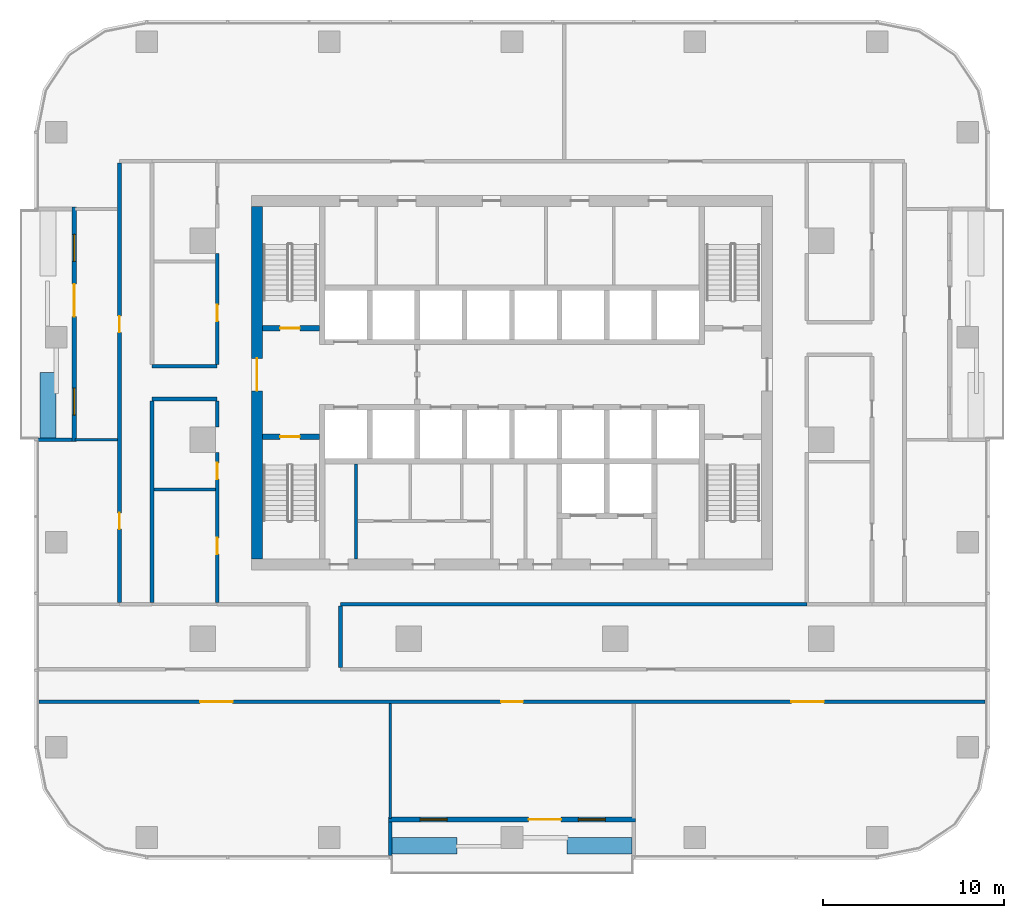
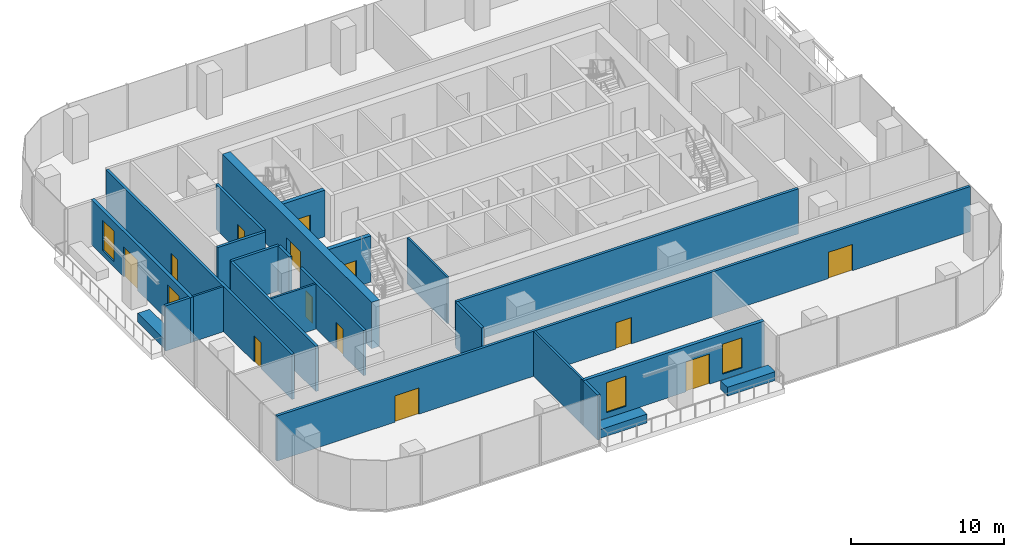
# One storey, part 7 of 14: 24 walls, 13 doors, 4 windows, 17 openings.
"""IFC4 building model written with IfcOpenShell, lengths in metres."""

from ifc_helpers import new_model, si_unit, direction, frame, frame_2d, origin, place, context, subcontext, project, spatial, rectangle, extrude, material, layer, layer_set, type_object, element, fill, save


model = new_model("IFC4")

# Units and contexts
model_context = context("Model", 3, precision=1e-05, world=origin(), true_north=direction((0.0, 1.0)))
body_context = subcontext(model_context, "Body", "Model", "MODEL_VIEW")
ifc_project = project(units=[si_unit("LENGTHUNIT", "METRE"), si_unit("AREAUNIT", "SQUARE_METRE"), si_unit("VOLUMEUNIT", "CUBIC_METRE"), si_unit("PLANEANGLEUNIT", "RADIAN"), si_unit("MASSUNIT", "GRAM", prefix="KILO")], contexts=[model_context])

# Site, building, storey
site_placement = place(None, origin())
site = spatial("IfcSite", under=ifc_project, at=site_placement, CompositionType="ELEMENT")
building_placement = place(site_placement, origin())
building = spatial("IfcBuilding", under=site, at=building_placement, Name="Mopane Tessera Tower", CompositionType="ELEMENT")
storey_placement = place(building_placement, frame((0.0, 0.0, 165.0)))
storey = spatial("IfcBuildingStorey", under=building, at=storey_placement, Name="L33", CompositionType="ELEMENT", Elevation=165.0)

# Wall
ifc_material_1 = material(Name="Fire-rated gypsum board partition")
ifc_layer_1 = layer(ifc_material_1, 0.14990234375)
ifc_layer_set_1 = layer_set([ifc_layer_1], Name="Fire-rated gypsum board partition")
wall_type_1 = type_object("IfcWallType", Name="Core room partition 150 mm", PredefinedType="PARTITIONING", material=ifc_layer_set_1)
wall_1_placement = place(storey_placement, frame((-8.625, -6.60009765625, 0.0), z_axis=(0.0, 0.0, 1.0), x_axis=(0.0, 1.0, 0.0)))
element("IfcWall", 1, at=wall_1_placement, inside=storey, type_object=wall_type_1, Name="L33 Room partition", PredefinedType="PARTITIONING", context=body_context, shape_type="SweptSolid", body=[
    extrude(rectangle(XDim=5.25, YDim=0.14990234375, at=frame_2d((2.625, 0.0))), origin(), (0.0, 0.0, 1.0), 3.699951171875),
])

# Wall, opening, door
ifc_material_2 = material(Name="Concrete C70/85", Category="concrete")
ifc_layer_2 = layer(ifc_material_2, 0.60009765625)
ifc_layer_set_2 = layer_set([ifc_layer_2], Name="Concrete C70/85")
wall_type_2 = type_object("IfcWallType", Name="Core shear wall 600 mm", PredefinedType="SHEAR", material=ifc_layer_set_2)
wall_2_placement = place(storey_placement, frame((-14.10009765625, -6.60009765625, 0.0), z_axis=(0.0, 0.0, 1.0), x_axis=(0.0, 1.0, 0.0)))
wall_2 = element("IfcWall", 2, at=wall_2_placement, inside=storey, type_object=wall_type_2, Name="L33 Core wall west", PredefinedType="SHEAR", context=body_context, shape_type="SweptSolid", body=[
    extrude(rectangle(XDim=19.5, YDim=0.60009765625, at=frame_2d((9.75, 0.0))), origin(), (0.0, 0.0, 1.0), 3.699951171875),
])
opening_1_placement = place(wall_2_placement, frame((9.300048828125, 0.0, 0.0)))
opening_1 = element("IfcOpeningElement", 3, at=opening_1_placement, cuts=wall_2, Name="Opening SD2", PredefinedType="OPENING", context=body_context, shape_type="SweptSolid", body=[
    extrude(rectangle(XDim=1.800048828125, YDim=2.10009765625, at=frame_2d((0.89990234375, 1.050048828125))), frame((0.0, 0.31201171875, 0.0), z_axis=(0.0, -1.0, 0.0), x_axis=(1.0, 0.0, 0.0)), (0.0, 0.0, 1.0), 0.6240234375),
])
ifc_material_3 = material(Name="Steel fire door", Category="steel")
door_type_1 = type_object("IfcDoorType", Name="Core entrance double door 1800 x 2100", OperationType="DOUBLE_DOOR_SINGLE_SWING", PredefinedType="DOOR", material=ifc_material_3)
door_1_placement = place(opening_1_placement, origin())
door_1 = element("IfcDoor", 4, at=door_1_placement, inside=storey, type_object=door_type_1, Name="L33 Core entrance door west", OperationType="DOUBLE_DOOR_SINGLE_SWING", OverallHeight=2.10009765625, OverallWidth=1.800048828125, PredefinedType="DOOR", context=body_context, shape_type="SweptSolid", body=[
    extrude(rectangle(XDim=1.800048828125, YDim=2.10009765625, at=frame_2d((0.89990234375, 1.050048828125))), frame((0.0, 0.02490234375, 0.0), z_axis=(0.0, -1.0, 0.0), x_axis=(1.0, 0.0, 0.0)), (0.0, 0.0, 1.0), 0.050048828125),
])
fill(opening_1, door_1)

# Wall, openings, doors
ifc_material_4 = material(Name="Gypsum board on steel studs, two layers each face, mineral wool infill", Category="steel")
ifc_layer_3 = layer(ifc_material_4, 0.199951171875)
ifc_layer_set_3 = layer_set([ifc_layer_3], Name="Gypsum board on steel studs, two layers each face, mineral wool infill")
wall_type_3 = type_object("IfcWallType", Name="Gypsum board corridor wall 200, rated EI 60", PredefinedType="PARTITIONING", material=ifc_layer_set_3)
wall_3_placement = place(storey_placement, frame((-26.14990234375, -14.5, 0.0), z_axis=(0.0, 0.0, 1.0), x_axis=(1.0, 0.0, 0.0)))
wall_3 = element("IfcWall", 5, at=wall_3_placement, inside=storey, type_object=wall_type_3, Name="Partition L33:000", PredefinedType="PARTITIONING", context=body_context, shape_type="SweptSolid", body=[
    extrude(rectangle(XDim=52.2998046875, YDim=0.199951171875, at=frame_2d((26.14990234375, 0.0))), origin(), (0.0, 0.0, 1.0), 3.60009765625),
])
opening_2_placement = place(wall_3_placement, frame((25.550048828125, 0.0, 0.0)))
opening_2 = element("IfcOpeningElement", 6, at=opening_2_placement, cuts=wall_3, Name="Opening L33-02", PredefinedType="OPENING", context=body_context, shape_type="SweptSolid", body=[
    extrude(rectangle(XDim=1.199951171875, YDim=2.10009765625, at=frame_2d((0.60009765625, 1.050048828125))), frame((0.0, 0.112060546875, 0.0), z_axis=(0.0, -1.0, 0.0), x_axis=(1.0, 0.0, 0.0)), (0.0, 0.0, 1.0), 0.223876953125),
])
opening_3_placement = place(wall_3_placement, frame((8.907470703125, 0.0, 0.0)))
opening_3 = element("IfcOpeningElement", 7, at=opening_3_placement, cuts=wall_3, Name="Opening L33-15", PredefinedType="OPENING", context=body_context, shape_type="SweptSolid", body=[
    extrude(rectangle(XDim=1.800048828125, YDim=2.10009765625, at=frame_2d((0.89990234375, 1.050048828125))), frame((0.0, 0.112060546875, 0.0), z_axis=(0.0, -1.0, 0.0), x_axis=(1.0, 0.0, 0.0)), (0.0, 0.0, 1.0), 0.223876953125),
])
opening_4_placement = place(wall_3_placement, frame((41.592529296875, 0.0, 0.0)))
opening_4 = element("IfcOpeningElement", 8, at=opening_4_placement, cuts=wall_3, Name="Opening L33-18", PredefinedType="OPENING", context=body_context, shape_type="SweptSolid", body=[
    extrude(rectangle(XDim=1.800048828125, YDim=2.10009765625, at=frame_2d((0.89990234375, 1.050048828125))), frame((0.0, 0.112060546875, 0.0), z_axis=(0.0, -1.0, 0.0), x_axis=(1.0, 0.0, 0.0)), (0.0, 0.0, 1.0), 0.223876953125),
])
ifc_material_5 = material(Name="Timber veneered steel-framed fire door", Category="steel")
door_type_2 = type_object("IfcDoorType", Name="Fire door FD60 1200 x 2100", OperationType="SINGLE_SWING_LEFT", PredefinedType="DOOR", material=ifc_material_5)
door_2_placement = place(opening_2_placement, origin())
door_2 = element("IfcDoor", 9, at=door_2_placement, inside=storey, type_object=door_type_2, Name="Door L33-02", ObjectType="D15A", OperationType="SINGLE_SWING_RIGHT", OverallHeight=2.10009765625, OverallWidth=1.199951171875, PredefinedType="DOOR", context=body_context, shape_type="SweptSolid", body=[
    extrude(rectangle(XDim=1.199951171875, YDim=2.10009765625, at=frame_2d((0.60009765625, 1.050048828125))), frame((0.0, 0.02490234375, 0.0), z_axis=(0.0, -1.0, 0.0), x_axis=(1.0, 0.0, 0.0)), (0.0, 0.0, 1.0), 0.050048828125),
])
fill(opening_2, door_2)
ifc_material_6 = material(Name="Timber veneered steel-framed fire door", Category="steel")
door_type_3 = type_object("IfcDoorType", Name="Fire door pair FD60 1800 x 2100", OperationType="DOUBLE_DOOR_SINGLE_SWING", PredefinedType="DOOR", material=ifc_material_6)
door_3_placement = place(opening_3_placement, origin())
door_3 = element("IfcDoor", 10, at=door_3_placement, inside=storey, type_object=door_type_3, Name="Door L33-15", ObjectType="D20A", OperationType="DOUBLE_DOOR_SINGLE_SWING", OverallHeight=2.10009765625, OverallWidth=1.800048828125, PredefinedType="DOOR", context=body_context, shape_type="SweptSolid", body=[
    extrude(rectangle(XDim=1.800048828125, YDim=2.10009765625, at=frame_2d((0.89990234375, 1.050048828125))), frame((0.0, 0.02490234375, 0.0), z_axis=(0.0, -1.0, 0.0), x_axis=(1.0, 0.0, 0.0)), (0.0, 0.0, 1.0), 0.050048828125),
])
fill(opening_3, door_3)
door_4_placement = place(opening_4_placement, origin())
door_4 = element("IfcDoor", 11, at=door_4_placement, inside=storey, type_object=door_type_3, Name="Door L33-18", ObjectType="D20A", OperationType="DOUBLE_DOOR_SINGLE_SWING", OverallHeight=2.10009765625, OverallWidth=1.800048828125, PredefinedType="DOOR", context=body_context, shape_type="SweptSolid", body=[
    extrude(rectangle(XDim=1.800048828125, YDim=2.10009765625, at=frame_2d((0.89990234375, 1.050048828125))), frame((0.0, 0.02490234375, 0.0), z_axis=(0.0, -1.0, 0.0), x_axis=(1.0, 0.0, 0.0)), (0.0, 0.0, 1.0), 0.050048828125),
])
fill(opening_4, door_4)

# Walls
wall_4_placement = place(storey_placement, frame((-9.47998046875, -9.10009765625, 0.0), z_axis=(0.0, 0.0, 1.0), x_axis=(1.0, 0.0, 0.0)))
element("IfcWall", 12, at=wall_4_placement, inside=storey, type_object=wall_type_3, Name="Partition L33:009", PredefinedType="PARTITIONING", context=body_context, shape_type="SweptSolid", body=[
    extrude(rectangle(XDim=25.780029296875, YDim=0.199951171875, at=frame_2d((12.89013671875, 0.0))), origin(), (0.0, 0.0, 1.0), 3.60009765625),
])
for number, where, z_axis, x_axis, name in (
    (13, (-19.89990234375, 2.25, 0.0), (0.0, 0.0, 1.0), (1.0, 0.0, 0.0), "Partition L33:015"),
    (14, (-19.89990234375, 4.050048828125, 0.0), (0.0, 0.0, 1.0), (1.0, 0.0, 0.0), "Partition L33:016"),
):
    element("IfcWall", number, at=place(storey_placement, frame(where, z_axis=z_axis, x_axis=x_axis)), inside=storey, type_object=wall_type_3, Name=name, PredefinedType="PARTITIONING", context=body_context, shape_type="SweptSolid", body=[
        extrude(rectangle(XDim=3.599853515625, YDim=0.199951171875, at=frame_2d((1.7998046875, 0.0))), origin(), (0.0, 0.0, 1.0), 3.60009765625),
    ])

# Wall, openings, doors
wall_5_placement = place(storey_placement, frame((-21.699951171875, -9.0, 0.0), z_axis=(0.0, 0.0, 1.0), x_axis=(0.0, 1.0, 0.0)))
wall_5 = element("IfcWall", 15, at=wall_5_placement, inside=storey, type_object=wall_type_3, Name="Partition L33:027", PredefinedType="PARTITIONING", context=body_context, shape_type="SweptSolid", body=[
    extrude(rectangle(XDim=24.300048828125, YDim=0.199951171875, at=frame_2d((12.14990234375, 0.0))), origin(), (0.0, 0.0, 1.0), 3.60009765625),
])
opening_5_placement = place(wall_5_placement, frame((14.925048828125, 0.0, 0.0)))
opening_5 = element("IfcOpeningElement", 16, at=opening_5_placement, cuts=wall_5, Name="Opening L33-01", PredefinedType="OPENING", context=body_context, shape_type="SweptSolid", body=[
    extrude(rectangle(XDim=0.89990234375, YDim=2.10009765625, at=frame_2d((0.449951171875, 1.050048828125))), frame((0.0, 0.112060546875, 0.0), z_axis=(0.0, -1.0, 0.0), x_axis=(1.0, 0.0, 0.0)), (0.0, 0.0, 1.0), 0.223876953125),
])
opening_6_placement = place(wall_5_placement, frame((4.050048828125, 0.0, 0.0)))
opening_6 = element("IfcOpeningElement", 17, at=opening_6_placement, cuts=wall_5, Name="Opening L33-13", PredefinedType="OPENING", context=body_context, shape_type="SweptSolid", body=[
    extrude(rectangle(XDim=0.89990234375, YDim=2.10009765625, at=frame_2d((0.449951171875, 1.050048828125))), frame((0.0, 0.112060546875, 0.0), z_axis=(0.0, -1.0, 0.0), x_axis=(1.0, 0.0, 0.0)), (0.0, 0.0, 1.0), 0.223876953125),
])
ifc_material_7 = material(Name="Timber veneered steel-framed fire door", Category="steel")
door_type_4 = type_object("IfcDoorType", Name="Fire door FD60 900 x 2100", OperationType="SINGLE_SWING_LEFT", PredefinedType="DOOR", material=ifc_material_7)
door_5_placement = place(opening_5_placement, origin())
door_5 = element("IfcDoor", 18, at=door_5_placement, inside=storey, type_object=door_type_4, Name="Door L33-01", ObjectType="D10A", OperationType="SINGLE_SWING_RIGHT", OverallHeight=2.10009765625, OverallWidth=0.89990234375, PredefinedType="DOOR", context=body_context, shape_type="SweptSolid", body=[
    extrude(rectangle(XDim=0.89990234375, YDim=2.10009765625, at=frame_2d((0.449951171875, 1.050048828125))), frame((0.0, 0.02490234375, 0.0), z_axis=(0.0, -1.0, 0.0), x_axis=(1.0, 0.0, 0.0)), (0.0, 0.0, 1.0), 0.050048828125),
])
fill(opening_5, door_5)
door_6_placement = place(opening_6_placement, origin())
door_6 = element("IfcDoor", 19, at=door_6_placement, inside=storey, type_object=door_type_4, Name="Door L33-13", ObjectType="D10A", OperationType="SINGLE_SWING_RIGHT", OverallHeight=2.10009765625, OverallWidth=0.89990234375, PredefinedType="DOOR", context=body_context, shape_type="SweptSolid", body=[
    extrude(rectangle(XDim=0.89990234375, YDim=2.10009765625, at=frame_2d((0.449951171875, 1.050048828125))), frame((0.0, 0.02490234375, 0.0), z_axis=(0.0, -1.0, 0.0), x_axis=(1.0, 0.0, 0.0)), (0.0, 0.0, 1.0), 0.050048828125),
])
fill(opening_6, door_6)

# Wall
wall_6_placement = place(storey_placement, frame((-19.89990234375, -9.0, 0.0), z_axis=(0.0, 0.0, 1.0), x_axis=(0.0, 1.0, 0.0)))
element("IfcWall", 20, at=wall_6_placement, inside=storey, type_object=wall_type_3, Name="Partition L33:028", PredefinedType="PARTITIONING", context=body_context, shape_type="SweptSolid", body=[
    extrude(rectangle(XDim=11.14990234375, YDim=0.199951171875, at=frame_2d((5.574951171875, 0.0))), origin(), (0.0, 0.0, 1.0), 3.60009765625),
])

# Wall, openings, doors
wall_7_placement = place(storey_placement, frame((-16.300048828125, -9.0, 0.0), z_axis=(0.0, 0.0, 1.0), x_axis=(0.0, 1.0, 0.0)))
wall_7 = element("IfcWall", 21, at=wall_7_placement, inside=storey, type_object=wall_type_3, Name="Partition L33:030", PredefinedType="PARTITIONING", context=body_context, shape_type="SweptSolid", body=[
    extrude(rectangle(XDim=8.300048828125, YDim=0.199951171875, at=frame_2d((4.14990234375, 0.0))), origin(), (0.0, 0.0, 1.0), 3.60009765625),
])
opening_7_placement = place(wall_7_placement, frame((6.822509765625, 0.0, 0.0)))
opening_7 = element("IfcOpeningElement", 22, at=opening_7_placement, cuts=wall_7, Name="Opening L33-07", PredefinedType="OPENING", context=body_context, shape_type="SweptSolid", body=[
    extrude(rectangle(XDim=0.89990234375, YDim=2.10009765625, at=frame_2d((0.449951171875, 1.050048828125))), frame((0.0, 0.112060546875, 0.0), z_axis=(0.0, -1.0, 0.0), x_axis=(1.0, 0.0, 0.0)), (0.0, 0.0, 1.0), 0.223876953125),
])
opening_8_placement = place(wall_7_placement, frame((2.672607421875, 0.0, 0.0)))
opening_8 = element("IfcOpeningElement", 23, at=opening_8_placement, cuts=wall_7, Name="Opening L33-10", PredefinedType="OPENING", context=body_context, shape_type="SweptSolid", body=[
    extrude(rectangle(XDim=0.89990234375, YDim=2.10009765625, at=frame_2d((0.449951171875, 1.050048828125))), frame((0.0, 0.112060546875, 0.0), z_axis=(0.0, -1.0, 0.0), x_axis=(1.0, 0.0, 0.0)), (0.0, 0.0, 1.0), 0.223876953125),
])
door_7_placement = place(opening_7_placement, origin())
door_7 = element("IfcDoor", 24, at=door_7_placement, inside=storey, type_object=door_type_4, Name="Door L33-07", ObjectType="D10A", OperationType="SINGLE_SWING_RIGHT", OverallHeight=2.10009765625, OverallWidth=0.89990234375, PredefinedType="DOOR", context=body_context, shape_type="SweptSolid", body=[
    extrude(rectangle(XDim=0.89990234375, YDim=2.10009765625, at=frame_2d((0.449951171875, 1.050048828125))), frame((0.0, 0.02490234375, 0.0), z_axis=(0.0, -1.0, 0.0), x_axis=(1.0, 0.0, 0.0)), (0.0, 0.0, 1.0), 0.050048828125),
])
fill(opening_7, door_7)
door_8_placement = place(opening_8_placement, origin())
door_8 = element("IfcDoor", 25, at=door_8_placement, inside=storey, type_object=door_type_4, Name="Door L33-10", ObjectType="D10A", OperationType="SINGLE_SWING_LEFT", OverallHeight=2.10009765625, OverallWidth=0.89990234375, PredefinedType="DOOR", context=body_context, shape_type="SweptSolid", body=[
    extrude(rectangle(XDim=0.89990234375, YDim=2.10009765625, at=frame_2d((0.449951171875, 1.050048828125))), frame((0.0, 0.02490234375, 0.0), z_axis=(0.0, -1.0, 0.0), x_axis=(1.0, 0.0, 0.0)), (0.0, 0.0, 1.0), 0.050048828125),
])
fill(opening_8, door_8)

# Wall
wall_8_placement = place(storey_placement, frame((-16.300048828125, 0.699951171875, 0.0), z_axis=(0.0, 0.0, 1.0), x_axis=(0.0, 1.0, 0.0)))
element("IfcWall", 26, at=wall_8_placement, inside=storey, type_object=wall_type_3, Name="Partition L33:031", PredefinedType="PARTITIONING", context=body_context, shape_type="SweptSolid", body=[
    extrude(rectangle(XDim=1.449951171875, YDim=0.199951171875, at=frame_2d((0.72509765625, 0.0))), origin(), (0.0, 0.0, 1.0), 3.60009765625),
])

# Wall, opening, door
wall_9_placement = place(storey_placement, frame((-16.300048828125, 4.14990234375, 0.0), z_axis=(0.0, 0.0, 1.0), x_axis=(0.0, 1.0, 0.0)))
wall_9 = element("IfcWall", 27, at=wall_9_placement, inside=storey, type_object=wall_type_3, Name="Partition L33:032", PredefinedType="PARTITIONING", context=body_context, shape_type="SweptSolid", body=[
    extrude(rectangle(XDim=6.150146484375, YDim=0.199951171875, at=frame_2d((3.0751953125, 0.0))), origin(), (0.0, 0.0, 1.0), 3.60009765625),
])
opening_9_placement = place(wall_9_placement, frame((2.402587890625, 0.0, 0.0)))
opening_9 = element("IfcOpeningElement", 28, at=opening_9_placement, cuts=wall_9, Name="Opening L33-04", PredefinedType="OPENING", context=body_context, shape_type="SweptSolid", body=[
    extrude(rectangle(XDim=0.89990234375, YDim=2.10009765625, at=frame_2d((0.449951171875, 1.050048828125))), frame((0.0, 0.112060546875, 0.0), z_axis=(0.0, -1.0, 0.0), x_axis=(1.0, 0.0, 0.0)), (0.0, 0.0, 1.0), 0.223876953125),
])
door_9_placement = place(opening_9_placement, origin())
door_9 = element("IfcDoor", 29, at=door_9_placement, inside=storey, type_object=door_type_4, Name="Door L33-04", ObjectType="D10A", OperationType="SINGLE_SWING_LEFT", OverallHeight=2.10009765625, OverallWidth=0.89990234375, PredefinedType="DOOR", context=body_context, shape_type="SweptSolid", body=[
    extrude(rectangle(XDim=0.89990234375, YDim=2.10009765625, at=frame_2d((0.449951171875, 1.050048828125))), frame((0.0, 0.02490234375, 0.0), z_axis=(0.0, -1.0, 0.0), x_axis=(1.0, 0.0, 0.0)), (0.0, 0.0, 1.0), 0.050048828125),
])
fill(opening_9, door_9)

# Walls
wall_10_placement = place(storey_placement, frame((-9.47998046875, -12.60009765625, 0.0), z_axis=(0.0, 0.0, 1.0), x_axis=(0.0, 1.0, 0.0)))
element("IfcWall", 30, at=wall_10_placement, inside=storey, type_object=wall_type_3, Name="Partition L33:035", PredefinedType="PARTITIONING", context=body_context, shape_type="SweptSolid", body=[
    extrude(rectangle(XDim=3.400146484375, YDim=0.199951171875, at=frame_2d((1.7001953125, 0.0))), origin(), (0.0, 0.0, 1.0), 3.60009765625),
])
ifc_material_8 = material(Name="Gypsum board on steel studs, mineral wool infill", Category="steel")
ifc_layer_4 = layer(ifc_material_8, 0.14990234375)
ifc_layer_set_4 = layer_set([ifc_layer_4], Name="Gypsum board on steel studs, mineral wool infill")
wall_type_4 = type_object("IfcWallType", Name="Gypsum board partition 150, rated EI 60", PredefinedType="PARTITIONING", material=ifc_layer_set_4)
wall_11_placement = place(storey_placement, frame((-19.800048828125, -2.7548828125, 0.0), z_axis=(0.0, 0.0, 1.0), x_axis=(1.0, 0.0, 0.0)))
element("IfcWall", 31, at=wall_11_placement, inside=storey, type_object=wall_type_4, Name="Partition L33:011", PredefinedType="PARTITIONING", context=body_context, shape_type="SweptSolid", body=[
    extrude(rectangle(XDim=3.400146484375, YDim=0.14990234375, at=frame_2d((1.7001953125, 0.0))), origin(), (0.0, 0.0, 1.0), 3.60009765625),
])
wall_12_placement = place(storey_placement, frame((-24.14990234375, 0.0, 0.0), z_axis=(0.0, 0.0, 1.0), x_axis=(1.0, 0.0, 0.0)))
element("IfcWall", 32, at=wall_12_placement, inside=storey, type_object=wall_type_4, Name="Partition L33:013", PredefinedType="PARTITIONING", context=body_context, shape_type="SweptSolid", body=[
    extrude(rectangle(XDim=2.349853515625, YDim=0.14990234375, at=frame_2d((1.1748046875, 0.0))), origin(), (0.0, 0.0, 1.0), 3.60009765625),
])
wall_13_placement = place(storey_placement, frame((-6.735107421875, -20.949951171875, 0.0), z_axis=(0.0, 0.0, 1.0), x_axis=(0.0, 1.0, 0.0)))
element("IfcWall", 33, at=wall_13_placement, inside=storey, type_object=wall_type_4, Name="Partition L33:036", PredefinedType="PARTITIONING", context=body_context, shape_type="SweptSolid", body=[
    extrude(rectangle(XDim=6.349853515625, YDim=0.14990234375, at=frame_2d((3.1748046875, 0.0))), origin(), (0.0, 0.0, 1.0), 3.60009765625),
])

# Wall, opening, door
ifc_material_9 = material(Name="Concrete C50/60", Category="concrete")
ifc_layer_5 = layer(ifc_material_9, 0.300048828125)
ifc_layer_set_5 = layer_set([ifc_layer_5], Name="Concrete C50/60")
wall_type_5 = type_object("IfcWallType", Name="Lift and stair shaft wall 300 mm", PredefinedType="SOLIDWALL", material=ifc_layer_set_5)
wall_14_placement = place(storey_placement, frame((-13.800048828125, 0.14990234375, 0.0), z_axis=(0.0, 0.0, 1.0), x_axis=(1.0, 0.0, 0.0)))
wall_14 = element("IfcWall", 34, at=wall_14_placement, inside=storey, type_object=wall_type_5, Name="L33 Stair enclosure wall", PredefinedType="SOLIDWALL", context=body_context, shape_type="SweptSolid", body=[
    extrude(rectangle(XDim=3.150146484375, YDim=0.300048828125, at=frame_2d((1.5751953125, 0.0))), origin(), (0.0, 0.0, 1.0), 3.699951171875),
])
opening_10_placement = place(wall_14_placement, frame((0.97509765625, 0.0, 0.0)))
opening_10 = element("IfcOpeningElement", 35, at=opening_10_placement, cuts=wall_14, Name="Opening SD1", PredefinedType="OPENING", context=body_context, shape_type="SweptSolid", body=[
    extrude(rectangle(XDim=1.10009765625, YDim=2.10009765625, at=frame_2d((0.550048828125, 1.050048828125))), frame((0.0, 0.162109375, 0.0), z_axis=(0.0, -1.0, 0.0), x_axis=(1.0, 0.0, 0.0)), (0.0, 0.0, 1.0), 0.323974609375),
])
ifc_material_10 = material(Name="Steel fire door", Category="steel")
door_type_5 = type_object("IfcDoorType", Name="Stair fire door 1100 x 2100", OperationType="SINGLE_SWING_LEFT", PredefinedType="DOOR", material=ifc_material_10)
door_10_placement = place(opening_10_placement, origin())
door_10 = element("IfcDoor", 36, at=door_10_placement, inside=storey, type_object=door_type_5, Name="L33 Stair door ST1", OperationType="SINGLE_SWING_LEFT", OverallHeight=2.10009765625, OverallWidth=1.10009765625, PredefinedType="DOOR", context=body_context, shape_type="SweptSolid", body=[
    extrude(rectangle(XDim=1.10009765625, YDim=2.10009765625, at=frame_2d((0.550048828125, 1.050048828125))), frame((0.0, 0.02490234375, 0.0), z_axis=(0.0, -1.0, 0.0), x_axis=(1.0, 0.0, 0.0)), (0.0, 0.0, 1.0), 0.050048828125),
])
fill(opening_10, door_10)

wall_15_placement = place(storey_placement, frame((-13.800048828125, 6.14990234375, 0.0), z_axis=(0.0, 0.0, 1.0), x_axis=(1.0, 0.0, 0.0)))
wall_15 = element("IfcWall", 37, at=wall_15_placement, inside=storey, type_object=wall_type_5, Name="L33 Stair enclosure wall", PredefinedType="SOLIDWALL", context=body_context, shape_type="SweptSolid", body=[
    extrude(rectangle(XDim=3.150146484375, YDim=0.300048828125, at=frame_2d((1.5751953125, 0.0))), origin(), (0.0, 0.0, 1.0), 3.699951171875),
])
opening_11_placement = place(wall_15_placement, frame((0.97509765625, 0.0, 0.0)))
opening_11 = element("IfcOpeningElement", 38, at=opening_11_placement, cuts=wall_15, Name="Opening SD1", PredefinedType="OPENING", context=body_context, shape_type="SweptSolid", body=[
    extrude(rectangle(XDim=1.10009765625, YDim=2.10009765625, at=frame_2d((0.550048828125, 1.050048828125))), frame((0.0, 0.162109375, 0.0), z_axis=(0.0, -1.0, 0.0), x_axis=(1.0, 0.0, 0.0)), (0.0, 0.0, 1.0), 0.323974609375),
])
door_11_placement = place(opening_11_placement, origin())
door_11 = element("IfcDoor", 39, at=door_11_placement, inside=storey, type_object=door_type_5, Name="L33 Stair door ST2", OperationType="SINGLE_SWING_LEFT", OverallHeight=2.10009765625, OverallWidth=1.10009765625, PredefinedType="DOOR", context=body_context, shape_type="SweptSolid", body=[
    extrude(rectangle(XDim=1.10009765625, YDim=2.10009765625, at=frame_2d((0.550048828125, 1.050048828125))), frame((0.0, 0.02490234375, 0.0), z_axis=(0.0, -1.0, 0.0), x_axis=(1.0, 0.0, 0.0)), (0.0, 0.0, 1.0), 0.050048828125),
])
fill(opening_11, door_11)

# Walls
ifc_material_11 = material(Name="Reinforced concrete C32/40 with waterproofing", Category="concrete")
ifc_layer_6 = layer(ifc_material_11, 0.89990234375)
ifc_layer_set_6 = layer_set([ifc_layer_6], Name="Reinforced concrete C32/40 with waterproofing")
wall_type_6 = type_object("IfcWallType", Name="Planter trough 3600 x 900", PredefinedType="STANDARD", material=ifc_layer_set_6)
for number, where, z_axis, x_axis, name in (
    (40, (-25.64990234375, 3.699951171875, 0.0), (0.0, 0.0, 1.0), (0.0, -1.0, 0.0), "e:nw:L33:N1:pl1"),
    (41, (-6.63330078125, -22.449951171875, 0.0), (0.0, 0.0, 1.0), (1.0, 0.0, 0.0), "e:nw:L33:N2:pl0"),
    (42, (3.033447265625, -22.449951171875, 0.0), (0.0, 0.0, 1.0), (1.0, 0.0, 0.0), "e:nw:L33:N2:pl1"),
):
    element("IfcWall", number, at=place(storey_placement, frame(where, z_axis=z_axis, x_axis=x_axis)), inside=storey, type_object=wall_type_6, Name=name, PredefinedType="STANDARD", context=body_context, shape_type="SweptSolid", body=[
        extrude(rectangle(XDim=3.599853515625, YDim=0.89990234375, at=frame_2d((1.7998046875, 0.0))), origin(), (0.0, 0.0, 1.0), 0.699951171875),
    ])
ifc_material_12 = material(Name="Blockwork with glazed tile facing", Category="masonry")
ifc_layer_7 = layer(ifc_material_12, 0.199951171875)
ifc_layer_set_7 = layer_set([ifc_layer_7], Name="Blockwork with glazed tile facing")
wall_type_7 = type_object("IfcWallType", Name="Terrace cheek wall 200", PredefinedType="STANDARD", material=ifc_layer_set_7)
for number, where, z_axis, x_axis, name in (
    (43, (-26.199951171875, 0.0, 0.0), (0.0, 0.0, 1.0), (1.0, 0.0, 0.0), "e:nw:L33:N1:cheekb"),
    (44, (-6.7333984375, -23.0, 0.0), (0.0, 0.0, 1.0), (0.0, 1.0, 0.0), "e:nw:L33:N2:cheeka"),
):
    element("IfcWall", number, at=place(storey_placement, frame(where, z_axis=z_axis, x_axis=x_axis)), inside=storey, type_object=wall_type_7, Name=name, PredefinedType="STANDARD", context=body_context, shape_type="SweptSolid", body=[
        extrude(rectangle(XDim=1.875, YDim=0.199951171875, at=frame_2d((0.9375, 0.0))), origin(), (0.0, 0.0, 1.0), 3.60009765625),
    ])

# Wall, openings, windows, door
ifc_material_13 = material(Name="Blockwork with ochre glazed tile facing", Category="masonry")
ifc_layer_8 = layer(ifc_material_13, 0.25)
ifc_layer_set_8 = layer_set([ifc_layer_8], Name="Blockwork with ochre glazed tile facing")
wall_type_8 = type_object("IfcWallType", Name="Tile-clad external wall 250, ochre", PredefinedType="STANDARD", material=ifc_layer_set_8)
wall_16_placement = place(storey_placement, frame((-24.199951171875, 12.85009765625, 0.0), z_axis=(0.0, 0.0, 1.0), x_axis=(0.0, -1.0, 0.0)))
wall_16 = element("IfcWall", 45, at=wall_16_placement, inside=storey, type_object=wall_type_8, Name="e:nw:L33:N1:back", PredefinedType="STANDARD", context=body_context, shape_type="SweptSolid", body=[
    extrude(rectangle(XDim=12.9501953125, YDim=0.25, at=frame_2d((6.47509765625, 0.0))), origin(), (0.0, 0.0, 1.0), 3.60009765625),
])
opening_12_placement = place(wall_16_placement, frame((1.5, 0.0, 0.449951171875)))
opening_12 = element("IfcOpeningElement", 46, at=opening_12_placement, cuts=wall_16, Name="Opening NW331A", PredefinedType="OPENING", context=body_context, shape_type="SweptSolid", body=[
    extrude(rectangle(XDim=1.5, YDim=2.39990234375, at=frame_2d((0.75, 1.199951171875))), frame((0.0, 0.136962890625, 0.0), z_axis=(0.0, -1.0, 0.0), x_axis=(1.0, 0.0, 0.0)), (0.0, 0.0, 1.0), 0.27392578125),
])
opening_13_placement = place(wall_16_placement, frame((4.25, 0.0, 0.0)))
opening_13 = element("IfcOpeningElement", 47, at=opening_13_placement, cuts=wall_16, Name="Opening ND331", PredefinedType="OPENING", context=body_context, shape_type="SweptSolid", body=[
    extrude(rectangle(XDim=1.800048828125, YDim=2.39990234375, at=frame_2d((0.89990234375, 1.199951171875))), frame((0.0, 0.136962890625, 0.0), z_axis=(0.0, -1.0, 0.0), x_axis=(1.0, 0.0, 0.0)), (0.0, 0.0, 1.0), 0.27392578125),
])
opening_14_placement = place(wall_16_placement, frame((10.0, 0.0, 0.449951171875)))
opening_14 = element("IfcOpeningElement", 48, at=opening_14_placement, cuts=wall_16, Name="Opening NW331B", PredefinedType="OPENING", context=body_context, shape_type="SweptSolid", body=[
    extrude(rectangle(XDim=1.5, YDim=2.39990234375, at=frame_2d((0.75, 1.199951171875))), frame((0.0, 0.136962890625, 0.0), z_axis=(0.0, -1.0, 0.0), x_axis=(1.0, 0.0, 0.0)), (0.0, 0.0, 1.0), 0.27392578125),
])
ifc_material_14 = material(Name="Clear laminated glass", Category="glass")
window_type = type_object("IfcWindowType", Name="Fixed window 1500 x 2400", PartitioningType="SINGLE_PANEL", PredefinedType="WINDOW", material=ifc_material_14)
window_1_placement = place(opening_12_placement, origin())
window_1 = element("IfcWindow", 49, at=window_1_placement, inside=storey, type_object=window_type, Name="e:nw:L33:N1:win0", OverallHeight=2.39990234375, OverallWidth=1.5, PartitioningType="SINGLE_PANEL", PredefinedType="WINDOW", context=body_context, shape_type="SweptSolid", body=[
    extrude(rectangle(XDim=1.5, YDim=2.39990234375, at=frame_2d((0.75, 1.199951171875))), frame((0.0, 0.030029296875, 0.0), z_axis=(0.0, -1.0, 0.0), x_axis=(1.0, 0.0, 0.0)), (0.0, 0.0, 1.0), 0.06005859375),
])
fill(opening_12, window_1)
window_2_placement = place(opening_14_placement, origin())
window_2 = element("IfcWindow", 50, at=window_2_placement, inside=storey, type_object=window_type, Name="e:nw:L33:N1:win2", OverallHeight=2.39990234375, OverallWidth=1.5, PartitioningType="SINGLE_PANEL", PredefinedType="WINDOW", context=body_context, shape_type="SweptSolid", body=[
    extrude(rectangle(XDim=1.5, YDim=2.39990234375, at=frame_2d((0.75, 1.199951171875))), frame((0.0, 0.030029296875, 0.0), z_axis=(0.0, -1.0, 0.0), x_axis=(1.0, 0.0, 0.0)), (0.0, 0.0, 1.0), 0.06005859375),
])
fill(opening_14, window_2)
ifc_material_15 = material(Name="Aluminium and clear glass", Category="aluminium")
door_type_6 = type_object("IfcDoorType", Name="Terrace double door 1800 x 2400", OperationType="DOUBLE_DOOR_SINGLE_SWING", PredefinedType="DOOR", material=ifc_material_15)
door_12_placement = place(opening_13_placement, origin())
door_12 = element("IfcDoor", 51, at=door_12_placement, inside=storey, type_object=door_type_6, Name="e:nw:L33:N1:door", ObjectType="D1", OperationType="DOUBLE_DOOR_SINGLE_SWING", OverallHeight=2.39990234375, OverallWidth=1.800048828125, PredefinedType="DOOR", context=body_context, shape_type="SweptSolid", body=[
    extrude(rectangle(XDim=1.800048828125, YDim=2.39990234375, at=frame_2d((0.89990234375, 1.199951171875))), frame((0.0, 0.02490234375, 0.0), z_axis=(0.0, -1.0, 0.0), x_axis=(1.0, 0.0, 0.0)), (0.0, 0.0, 1.0), 0.050048828125),
])
fill(opening_13, door_12)

wall_17_placement = place(storey_placement, frame((-6.833251953125, -21.0, 0.0), z_axis=(0.0, 0.0, 1.0), x_axis=(1.0, 0.0, 0.0)))
wall_17 = element("IfcWall", 52, at=wall_17_placement, inside=storey, type_object=wall_type_8, Name="e:nw:L33:N2:back", PredefinedType="STANDARD", context=body_context, shape_type="SweptSolid", body=[
    extrude(rectangle(XDim=13.66650390625, YDim=0.25, at=frame_2d((6.833251953125, 0.0))), origin(), (0.0, 0.0, 1.0), 3.60009765625),
])
opening_15_placement = place(wall_17_placement, frame((1.75, 0.0, 0.449951171875)))
opening_15 = element("IfcOpeningElement", 53, at=opening_15_placement, cuts=wall_17, Name="Opening NW332A", PredefinedType="OPENING", context=body_context, shape_type="SweptSolid", body=[
    extrude(rectangle(XDim=1.5, YDim=2.39990234375, at=frame_2d((0.75, 1.199951171875))), frame((0.0, 0.136962890625, 0.0), z_axis=(0.0, -1.0, 0.0), x_axis=(1.0, 0.0, 0.0)), (0.0, 0.0, 1.0), 0.27392578125),
])
opening_16_placement = place(wall_17_placement, frame((7.75, 0.0, 0.0)))
opening_16 = element("IfcOpeningElement", 54, at=opening_16_placement, cuts=wall_17, Name="Opening ND332", PredefinedType="OPENING", context=body_context, shape_type="SweptSolid", body=[
    extrude(rectangle(XDim=1.800048828125, YDim=2.39990234375, at=frame_2d((0.89990234375, 1.199951171875))), frame((0.0, 0.136962890625, 0.0), z_axis=(0.0, -1.0, 0.0), x_axis=(1.0, 0.0, 0.0)), (0.0, 0.0, 1.0), 0.27392578125),
])
opening_17_placement = place(wall_17_placement, frame((10.5, 0.0, 0.449951171875)))
opening_17 = element("IfcOpeningElement", 55, at=opening_17_placement, cuts=wall_17, Name="Opening NW332B", PredefinedType="OPENING", context=body_context, shape_type="SweptSolid", body=[
    extrude(rectangle(XDim=1.5, YDim=2.39990234375, at=frame_2d((0.75, 1.199951171875))), frame((0.0, 0.136962890625, 0.0), z_axis=(0.0, -1.0, 0.0), x_axis=(1.0, 0.0, 0.0)), (0.0, 0.0, 1.0), 0.27392578125),
])
window_3_placement = place(opening_15_placement, origin())
window_3 = element("IfcWindow", 56, at=window_3_placement, inside=storey, type_object=window_type, Name="e:nw:L33:N2:win0", OverallHeight=2.39990234375, OverallWidth=1.5, PartitioningType="SINGLE_PANEL", PredefinedType="WINDOW", context=body_context, shape_type="SweptSolid", body=[
    extrude(rectangle(XDim=1.5, YDim=2.39990234375, at=frame_2d((0.75, 1.199951171875))), frame((0.0, 0.030029296875, 0.0), z_axis=(0.0, -1.0, 0.0), x_axis=(1.0, 0.0, 0.0)), (0.0, 0.0, 1.0), 0.06005859375),
])
fill(opening_15, window_3)
window_4_placement = place(opening_17_placement, origin())
window_4 = element("IfcWindow", 57, at=window_4_placement, inside=storey, type_object=window_type, Name="e:nw:L33:N2:win2", OverallHeight=2.39990234375, OverallWidth=1.5, PartitioningType="SINGLE_PANEL", PredefinedType="WINDOW", context=body_context, shape_type="SweptSolid", body=[
    extrude(rectangle(XDim=1.5, YDim=2.39990234375, at=frame_2d((0.75, 1.199951171875))), frame((0.0, 0.030029296875, 0.0), z_axis=(0.0, -1.0, 0.0), x_axis=(1.0, 0.0, 0.0)), (0.0, 0.0, 1.0), 0.06005859375),
])
fill(opening_17, window_4)
door_13_placement = place(opening_16_placement, origin())
door_13 = element("IfcDoor", 58, at=door_13_placement, inside=storey, type_object=door_type_6, Name="e:nw:L33:N2:door", ObjectType="D1", OperationType="DOUBLE_DOOR_SINGLE_SWING", OverallHeight=2.39990234375, OverallWidth=1.800048828125, PredefinedType="DOOR", context=body_context, shape_type="SweptSolid", body=[
    extrude(rectangle(XDim=1.800048828125, YDim=2.39990234375, at=frame_2d((0.89990234375, 1.199951171875))), frame((0.0, 0.02490234375, 0.0), z_axis=(0.0, -1.0, 0.0), x_axis=(1.0, 0.0, 0.0)), (0.0, 0.0, 1.0), 0.050048828125),
])
fill(opening_16, door_13)

save(model, "model.ifc")
